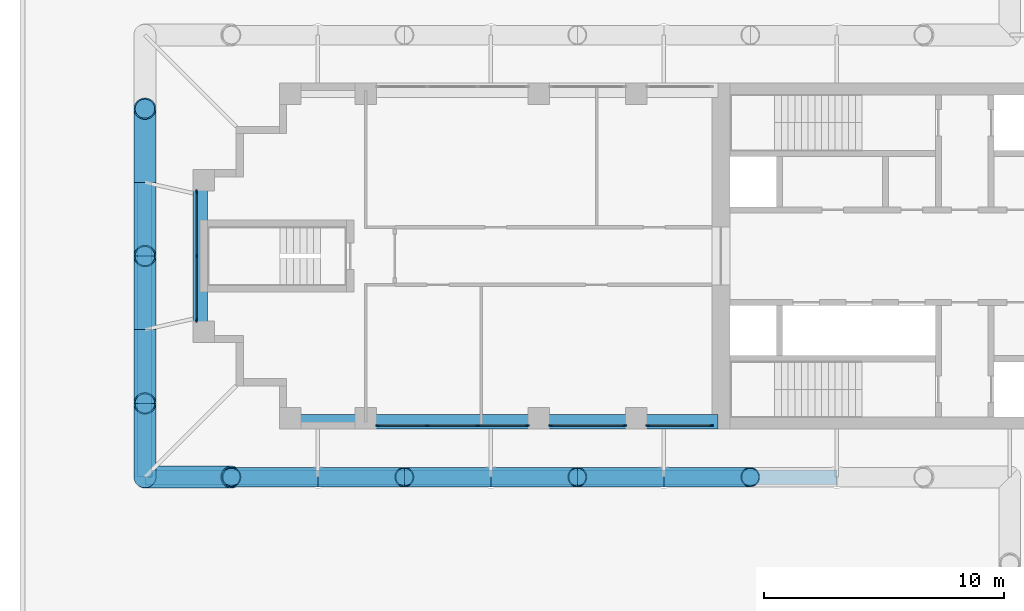
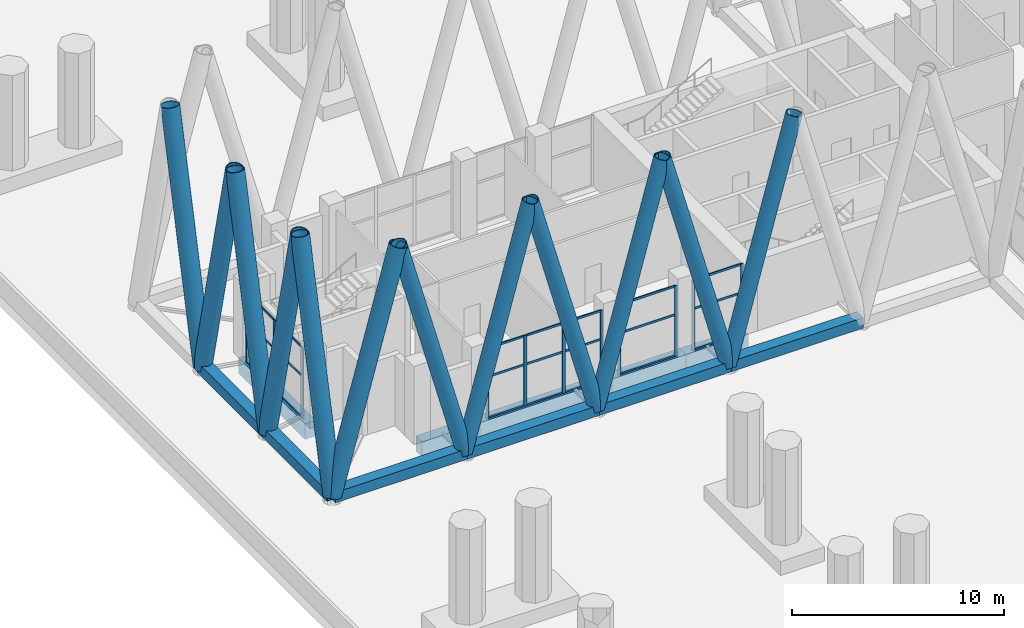
# One storey, part 4 of 31: 50 members, 5 beams, 4 elements without a shape of their own.
"""IFC4 building model written with IfcOpenShell, lengths in metres."""

import ifcopenshell
import ifcopenshell.guid

model = None  # the IFC model being written
_history = None  # IfcOwnerHistory: only IFC2X3 demands one
_inside = {}  # id of a spatial element -> (the spatial element, [elements in it])
_under = {}  # id of a project, library or spatial element -> (it, [spatial elements below it])
_declared = {}  # id of a project -> (the project, [libraries it declares])
_typed = {}  # id of a type object -> (the type object, [elements of that type])
_made_of = {}  # id of a material, layer set ... -> (it, [elements and type objects made of it])


def new_model(schema):
    """Start an empty IFC model of exactly this schema.

    Asked for "IFC4X3", IfcOpenShell would pick the latest addendum, in which some entities
    have other attributes; the version numbers below select the first issue.
    IFC2X3 requires an IfcOwnerHistory on every rooted entity: one is made here for all.
    """
    global model, _history
    if schema == "IFC4X3":
        model = ifcopenshell.file(schema_version=(4, 3, 0, 0))
    else:
        model = ifcopenshell.file(schema=schema)
    _inside.clear()
    _under.clear()
    _declared.clear()
    _typed.clear()
    _made_of.clear()
    _history = None
    if model.schema == "IFC2X3":
        org = make("IfcOrganization", Name="unknown")
        user = make(
            "IfcPersonAndOrganization",
            ThePerson=make("IfcPerson", FamilyName="unknown"),
            TheOrganization=org,
        )
        app = make(
            "IfcApplication",
            ApplicationDeveloper=org,
            Version="unknown",
            ApplicationFullName="unknown",
            ApplicationIdentifier="unknown",
        )
        _history = make(
            "IfcOwnerHistory",
            OwningUser=user,
            OwningApplication=app,
            ChangeAction="ADDED",
            CreationDate=0,
        )
    return model


def make(cls, **values):
    """One entity of the class cls with the attributes given. An attribute that is None is left unset."""
    return model.create_entity(
        cls, **{name: value for name, value in values.items() if value is not None}
    )


def rooted(cls, **values):
    """An entity with a GlobalId (a new one), such as an element, a storey or a relation."""
    return make(cls, GlobalId=ifcopenshell.guid.new(), OwnerHistory=_history, **values)


def si_unit(unit_type, name, prefix=None):
    """IfcSIUnit, for example si_unit("LENGTHUNIT", "METRE", prefix="MILLI")."""
    return make("IfcSIUnit", UnitType=unit_type, Prefix=prefix, Name=name)


def assignment(units):
    """IfcUnitAssignment: the units of a project."""
    return None if units is None else make("IfcUnitAssignment", Units=units)


def point(xyz):
    """IfcCartesianPoint."""
    return None if xyz is None else make("IfcCartesianPoint", Coordinates=xyz)


def direction(xyz):
    """IfcDirection."""
    return None if xyz is None else make("IfcDirection", DirectionRatios=xyz)


def frame(location, z_axis=None, x_axis=None):
    """IfcAxis2Placement3D, a coordinate frame: its origin and axes. An axis left out is left unset."""
    return make(
        "IfcAxis2Placement3D",
        Location=point(location),
        Axis=direction(z_axis),
        RefDirection=direction(x_axis),
    )


def frame_2d(location, x_axis=None):
    """IfcAxis2Placement2D, a coordinate frame in the plane: its origin and x axis."""
    return make(
        "IfcAxis2Placement2D", Location=point(location), RefDirection=direction(x_axis)
    )


def origin():
    """The frame at (0, 0, 0) with its axes left unset."""
    return frame((0.0, 0.0, 0.0))


def origin_2d():
    """The frame at (0, 0) in the plane with its x axis left unset."""
    return frame_2d((0.0, 0.0))


def place(relative_to, where):
    """IfcLocalPlacement: puts the frame where relative to a parent placement (None: the world)."""
    return make(
        "IfcLocalPlacement", PlacementRelTo=relative_to, RelativePlacement=where
    )


def context(
    kind, dimensions, precision=None, world=None, true_north=None, identifier=None
):
    """IfcGeometricRepresentationContext, for example the 3D "Model" context."""
    return make(
        "IfcGeometricRepresentationContext",
        ContextIdentifier=identifier,
        ContextType=kind,
        CoordinateSpaceDimension=dimensions,
        Precision=precision,
        WorldCoordinateSystem=world,
        TrueNorth=true_north,
    )


def subcontext(parent, identifier, kind, view, scale=None):
    """IfcGeometricRepresentationSubContext, for example "Body" below "Model"."""
    return make(
        "IfcGeometricRepresentationSubContext",
        ContextIdentifier=identifier,
        ContextType=kind,
        ParentContext=parent,
        TargetScale=scale,
        TargetView=view,
    )


def project(units=None, contexts=None):
    """IfcProject with its units and contexts."""
    return rooted(
        "IfcProject",
        Name="project",
        RepresentationContexts=contexts,
        UnitsInContext=assignment(units),
    )


def spatial(cls, under=None, at=None, **own):
    """A site, building, storey or space (cls), placed at a placement, below another one or the project."""
    s = rooted(cls, ObjectPlacement=at, **own)
    if under is not None:
        _under.setdefault(under.id(), (under, []))[1].append(s)
    return s


def profile(cls, at=None, kind="AREA", **sizes):
    """A parametric profile (cls). Its sizes go by their IFC names, for example OverallWidth=200.0."""
    return make(cls, ProfileType=kind, Position=at, **sizes)


def rectangle(**sizes):
    """IfcRectangleProfileDef."""
    return profile("IfcRectangleProfileDef", **sizes)


def hollow_rectangle(**sizes):
    """IfcRectangleHollowProfileDef."""
    return profile("IfcRectangleHollowProfileDef", **sizes)


def hollow_circle(**sizes):
    """IfcCircleHollowProfileDef."""
    return profile("IfcCircleHollowProfileDef", **sizes)


def extrude(swept, where, along, depth):
    """IfcExtrudedAreaSolid: the profile swept, set in the frame where, extruded along a direction by depth."""
    return make(
        "IfcExtrudedAreaSolid",
        SweptArea=swept,
        Position=where,
        ExtrudedDirection=direction(along),
        Depth=depth,
    )


def shape(context_of_items, identifier, shape_type, items):
    """IfcShapeRepresentation: the items that make up one representation, for example the "Body"."""
    return make(
        "IfcShapeRepresentation",
        ContextOfItems=context_of_items,
        RepresentationIdentifier=identifier,
        RepresentationType=shape_type,
        Items=items,
    )


def material(Name=None, Category=None):
    """IfcMaterial."""
    return make("IfcMaterial", Name=Name, Category=Category)


def material_profile(
    of_material, cross_section, Name=None, Category=None, Priority=None
):
    """IfcMaterialProfile: a cross section and its material."""
    return make(
        "IfcMaterialProfile",
        Name=Name,
        Material=of_material,
        Profile=cross_section,
        Priority=Priority,
        Category=Category,
    )


def profile_set(profiles, Name=None, composite=None):
    """IfcMaterialProfileSet."""
    return make(
        "IfcMaterialProfileSet",
        Name=Name,
        MaterialProfiles=profiles,
        CompositeProfile=composite,
    )


def made_of(thing, what):
    """Note that an element or type object is made of a material, layer set ...; save() writes the relation."""
    if what is not None:
        _made_of.setdefault(what.id(), (what, []))[1].append(thing)
    return thing


def type_object(cls, material=None, **own):
    """A type object (cls), such as IfcWallType, which elements share."""
    return made_of(rooted(cls, **own), material)


def element(
    cls,
    number,
    at=None,
    inside=None,
    cuts=None,
    type_object=None,
    material=None,
    context=None,
    identifier="Body",
    shape_type=None,
    held_by="IfcProductDefinitionShape",
    body=None,
    shapes=None,
    **own,
):
    """One element of the class cls, such as IfcWall. Its Tag is "e" and its number.

    at: its placement. inside: the storey or other place that contains it. cuts: it is an
    opening in that element (IfcRelVoidsElement). A single representation is given by context,
    identifier, shape_type and body (its items); several are given by shapes. held_by: the class
    of the entity that holds the representations. save() writes the other relations.
    """
    e = rooted(cls, Tag="e%d" % number, ObjectPlacement=at, **own)
    if body is not None:
        shapes = [shape(context, identifier, shape_type, body)]
    if shapes is not None:
        e.Representation = make(held_by, Representations=shapes)
    if inside is not None:
        _inside.setdefault(inside.id(), (inside, []))[1].append(e)
    if cuts is not None:
        rooted(
            "IfcRelVoidsElement", RelatingBuildingElement=cuts, RelatedOpeningElement=e
        )
    if type_object is not None:
        _typed.setdefault(type_object.id(), (type_object, []))[1].append(e)
    return made_of(e, material)


def aggregate(whole, parts):
    """IfcRelAggregates: a whole, such as a stair, and the parts it consists of."""
    return rooted("IfcRelAggregates", RelatingObject=whole, RelatedObjects=parts)


def save(model, path):
    """Write the relations noted so far, then the file.

    IfcRelAggregates (storeys below a building ...), IfcRelContainedInSpatialStructure (elements
    in a storey), IfcRelDefinesByType, IfcRelAssociatesMaterial and IfcRelDeclares: one each for
    every whole, place, type object, material and project.
    """
    for whole, parts in _under.values():
        aggregate(whole, parts)
    for where, things in _inside.values():
        rooted(
            "IfcRelContainedInSpatialStructure",
            RelatedElements=things,
            RelatingStructure=where,
        )
    for kind, things in _typed.values():
        rooted("IfcRelDefinesByType", RelatedObjects=things, RelatingType=kind)
    for what, things in _made_of.values():
        rooted("IfcRelAssociatesMaterial", RelatedObjects=things, RelatingMaterial=what)
    for by, libraries in _declared.values():
        rooted("IfcRelDeclares", RelatingContext=by, RelatedDefinitions=libraries)
    model.write(path)


model = new_model("IFC4")

# Units and contexts
model_context = context("Model", 3, precision=1e-05, world=origin(), true_north=direction((0.0, 1.0)))
body_context = subcontext(model_context, "Body", "Model", "MODEL_VIEW")
ifc_project = project(units=[si_unit("LENGTHUNIT", "METRE"), si_unit("AREAUNIT", "SQUARE_METRE"), si_unit("VOLUMEUNIT", "CUBIC_METRE"), si_unit("PLANEANGLEUNIT", "RADIAN"), si_unit("MASSUNIT", "GRAM", prefix="KILO")], contexts=[model_context])

# Site, building, storey
site_placement = place(None, origin())
site = spatial("IfcSite", under=ifc_project, at=site_placement, CompositionType="ELEMENT")
building_placement = place(site_placement, origin())
building = spatial("IfcBuilding", under=site, at=building_placement, Name="Fustian Cross Tower", CompositionType="ELEMENT")
storey_placement = place(building_placement, frame((0.0, 0.0, 7.199951171875)))
storey = spatial("IfcBuildingStorey", under=building, at=storey_placement, Name="L01", CompositionType="ELEMENT", Elevation=7.199951171875)

# Curtain wall, members
ifc_material_1 = material(Name="Glass", Category="glass")
curtain_wall_type = type_object("IfcCurtainWallType", Name="CW4 CURTAIN WALL", PredefinedType="NOTDEFINED", material=ifc_material_1)
curtain_wall_1_placement = place(storey_placement, origin())
curtain_wall_1 = element("IfcCurtainWall", 1, at=curtain_wall_1_placement, inside=storey, type_object=curtain_wall_type, Name="Curtain wall CW4", PredefinedType="NOTDEFINED")
ifc_material_2 = material(Name="Aluminium alloy 6063", Category="aluminium")
ifc_material_profile_1 = material_profile(ifc_material_2, rectangle(XDim=0.06005859375, YDim=0.159912109375, at=origin_2d()), Name="CW4 MULLION 60x160")
ifc_profile_set_1 = profile_set([ifc_material_profile_1], Name="Aluminium alloy 6063")
member_type_1 = type_object("IfcMemberType", Name="CW4 MULLION 60x160", PredefinedType="MULLION", material=ifc_profile_set_1)
member_1_placement = place(storey_placement, frame((-43.050048828125, 2.669921875, 0.0), z_axis=(0.0, 0.0, 1.0), x_axis=(1.0, 0.0, 0.0)))
member_1 = element("IfcMember", 2, at=member_1_placement, type_object=member_type_1, Name="CW4 mullion 1", PredefinedType="MULLION", context=body_context, shape_type="SweptSolid", body=[
    extrude(rectangle(XDim=0.06005859375, YDim=0.159912109375, at=origin_2d()), origin(), (0.0, 0.0, 1.0), 4.074951171875),
])
member_2_placement = place(storey_placement, frame((-43.050048828125, 0.0, 0.0), z_axis=(0.0, 0.0, 1.0), x_axis=(1.0, 0.0, 0.0)))
member_2 = element("IfcMember", 3, at=member_2_placement, type_object=member_type_1, Name="CW4 mullion 2", PredefinedType="MULLION", context=body_context, shape_type="SweptSolid", body=[
    extrude(rectangle(XDim=0.06005859375, YDim=0.159912109375, at=origin_2d()), origin(), (0.0, 0.0, 1.0), 4.074951171875),
])
member_3_placement = place(storey_placement, frame((-43.050048828125, -2.669921875, 0.0), z_axis=(0.0, 0.0, 1.0), x_axis=(1.0, 0.0, 0.0)))
member_3 = element("IfcMember", 4, at=member_3_placement, type_object=member_type_1, Name="CW4 mullion 3", PredefinedType="MULLION", context=body_context, shape_type="SweptSolid", body=[
    extrude(rectangle(XDim=0.06005859375, YDim=0.159912109375, at=origin_2d()), origin(), (0.0, 0.0, 1.0), 4.074951171875),
])

curtain_wall_2_placement = place(storey_placement, origin())
curtain_wall_2 = element("IfcCurtainWall", 5, at=curtain_wall_2_placement, inside=storey, type_object=curtain_wall_type, Name="Curtain wall CW4", PredefinedType="NOTDEFINED")
member_4_placement = place(storey_placement, frame((-35.52001953125, -7.050048828125, 0.0), z_axis=(0.0, 0.0, 1.0), x_axis=(0.0, 1.0, 0.0)))
member_4 = element("IfcMember", 6, at=member_4_placement, type_object=member_type_1, Name="CW4 mullion 1", PredefinedType="MULLION", context=body_context, shape_type="SweptSolid", body=[
    extrude(rectangle(XDim=0.06005859375, YDim=0.159912109375, at=origin_2d()), origin(), (0.0, 0.0, 1.0), 4.074951171875),
])
member_5_placement = place(storey_placement, frame((-33.449951171875, -7.050048828125, 0.0), z_axis=(0.0, 0.0, 1.0), x_axis=(0.0, 1.0, 0.0)))
member_5 = element("IfcMember", 7, at=member_5_placement, type_object=member_type_1, Name="CW4 mullion 2", PredefinedType="MULLION", context=body_context, shape_type="SweptSolid", body=[
    extrude(rectangle(XDim=0.06005859375, YDim=0.159912109375, at=origin_2d()), origin(), (0.0, 0.0, 1.0), 4.074951171875),
])
member_6_placement = place(storey_placement, frame((-31.35009765625, -7.050048828125, 0.0), z_axis=(0.0, 0.0, 1.0), x_axis=(0.0, 1.0, 0.0)))
member_6 = element("IfcMember", 8, at=member_6_placement, type_object=member_type_1, Name="CW4 mullion 3", PredefinedType="MULLION", context=body_context, shape_type="SweptSolid", body=[
    extrude(rectangle(XDim=0.06005859375, YDim=0.159912109375, at=origin_2d()), origin(), (0.0, 0.0, 1.0), 4.074951171875),
])
member_7_placement = place(storey_placement, frame((-29.280029296875, -7.050048828125, 0.0), z_axis=(0.0, 0.0, 1.0), x_axis=(0.0, 1.0, 0.0)))
member_7 = element("IfcMember", 9, at=member_7_placement, type_object=member_type_1, Name="CW4 mullion 4", PredefinedType="MULLION", context=body_context, shape_type="SweptSolid", body=[
    extrude(rectangle(XDim=0.06005859375, YDim=0.159912109375, at=origin_2d()), origin(), (0.0, 0.0, 1.0), 4.074951171875),
])

curtain_wall_3_placement = place(storey_placement, origin())
curtain_wall_3 = element("IfcCurtainWall", 10, at=curtain_wall_3_placement, inside=storey, type_object=curtain_wall_type, Name="Curtain wall CW4", PredefinedType="NOTDEFINED")
member_8_placement = place(storey_placement, frame((-28.320068359375, -7.050048828125, 0.0), z_axis=(0.0, 0.0, 1.0), x_axis=(0.0, 1.0, 0.0)))
member_8 = element("IfcMember", 11, at=member_8_placement, type_object=member_type_1, Name="CW4 mullion 1", PredefinedType="MULLION", context=body_context, shape_type="SweptSolid", body=[
    extrude(rectangle(XDim=0.06005859375, YDim=0.159912109375, at=origin_2d()), origin(), (0.0, 0.0, 1.0), 4.074951171875),
])
member_9_placement = place(storey_placement, frame((-25.22998046875, -7.050048828125, 0.0), z_axis=(0.0, 0.0, 1.0), x_axis=(0.0, 1.0, 0.0)))
member_9 = element("IfcMember", 12, at=member_9_placement, type_object=member_type_1, Name="CW4 mullion 2", PredefinedType="MULLION", context=body_context, shape_type="SweptSolid", body=[
    extrude(rectangle(XDim=0.06005859375, YDim=0.159912109375, at=origin_2d()), origin(), (0.0, 0.0, 1.0), 4.074951171875),
])

curtain_wall_4_placement = place(storey_placement, origin())
curtain_wall_4 = element("IfcCurtainWall", 13, at=curtain_wall_4_placement, inside=storey, type_object=curtain_wall_type, Name="Curtain wall CW4", PredefinedType="NOTDEFINED")
member_10_placement = place(storey_placement, frame((-24.27001953125, -7.050048828125, 0.0), z_axis=(0.0, 0.0, 1.0), x_axis=(0.0, 1.0, 0.0)))
member_10 = element("IfcMember", 14, at=member_10_placement, type_object=member_type_1, Name="CW4 mullion 1", PredefinedType="MULLION", context=body_context, shape_type="SweptSolid", body=[
    extrude(rectangle(XDim=0.06005859375, YDim=0.159912109375, at=origin_2d()), origin(), (0.0, 0.0, 1.0), 4.074951171875),
])
member_11_placement = place(storey_placement, frame((-21.6298828125, -7.050048828125, 0.0), z_axis=(0.0, 0.0, 1.0), x_axis=(0.0, 1.0, 0.0)))
member_11 = element("IfcMember", 15, at=member_11_placement, type_object=member_type_1, Name="CW4 mullion 2", PredefinedType="MULLION", context=body_context, shape_type="SweptSolid", body=[
    extrude(rectangle(XDim=0.06005859375, YDim=0.159912109375, at=origin_2d()), origin(), (0.0, 0.0, 1.0), 4.074951171875),
])

# Member
ifc_material_3 = material(Name="Aluminium alloy 6063", Category="aluminium")
ifc_material_profile_2 = material_profile(ifc_material_3, rectangle(XDim=0.06005859375, YDim=0.1201171875, at=origin_2d()), Name="CW4 TRANSOM 60x120")
ifc_profile_set_2 = profile_set([ifc_material_profile_2], Name="Aluminium alloy 6063")
member_type_2 = type_object("IfcMemberType", Name="CW4 TRANSOM 60x120", PredefinedType="USERDEFINED", material=ifc_profile_set_2)
member_12_placement = place(storey_placement, frame((-43.050048828125, 2.639892578125, 0.030029296875), z_axis=(0.0, -1.0, 0.0), x_axis=(1.0, 0.0, 0.0)))
member_12 = element("IfcMember", 16, at=member_12_placement, type_object=member_type_2, Name="CW4 transom 1.1", ObjectType="TRANSOM", PredefinedType="USERDEFINED", context=body_context, shape_type="SweptSolid", body=[
    extrude(rectangle(XDim=0.06005859375, YDim=0.1201171875, at=origin_2d()), origin(), (0.0, 0.0, 1.0), 2.60986328125),
])

member_13_placement = place(storey_placement, frame((-43.050048828125, 2.639892578125, 2.400146484375), z_axis=(0.0, -1.0, 0.0), x_axis=(1.0, 0.0, 0.0)))
member_13 = element("IfcMember", 17, at=member_13_placement, type_object=member_type_2, Name="CW4 transom 1.2", ObjectType="TRANSOM", PredefinedType="USERDEFINED", context=body_context, shape_type="SweptSolid", body=[
    extrude(rectangle(XDim=0.06005859375, YDim=0.1201171875, at=origin_2d()), origin(), (0.0, 0.0, 1.0), 2.60986328125),
])

member_14_placement = place(storey_placement, frame((-43.050048828125, 2.639892578125, 4.045166015625), z_axis=(0.0, -1.0, 0.0), x_axis=(1.0, 0.0, 0.0)))
member_14 = element("IfcMember", 18, at=member_14_placement, type_object=member_type_2, Name="CW4 transom 1.3", ObjectType="TRANSOM", PredefinedType="USERDEFINED", context=body_context, shape_type="SweptSolid", body=[
    extrude(rectangle(XDim=0.06005859375, YDim=0.1201171875, at=origin_2d()), origin(), (0.0, 0.0, 1.0), 2.60986328125),
])

member_15_placement = place(storey_placement, frame((-43.050048828125, -0.030029296875, 0.030029296875), z_axis=(0.0, -1.0, 0.0), x_axis=(1.0, 0.0, 0.0)))
member_15 = element("IfcMember", 19, at=member_15_placement, type_object=member_type_2, Name="CW4 transom 2.1", ObjectType="TRANSOM", PredefinedType="USERDEFINED", context=body_context, shape_type="SweptSolid", body=[
    extrude(rectangle(XDim=0.06005859375, YDim=0.1201171875, at=origin_2d()), origin(), (0.0, 0.0, 1.0), 2.60986328125),
])

member_16_placement = place(storey_placement, frame((-43.050048828125, -0.030029296875, 2.400146484375), z_axis=(0.0, -1.0, 0.0), x_axis=(1.0, 0.0, 0.0)))
member_16 = element("IfcMember", 20, at=member_16_placement, type_object=member_type_2, Name="CW4 transom 2.2", ObjectType="TRANSOM", PredefinedType="USERDEFINED", context=body_context, shape_type="SweptSolid", body=[
    extrude(rectangle(XDim=0.06005859375, YDim=0.1201171875, at=origin_2d()), origin(), (0.0, 0.0, 1.0), 2.60986328125),
])

member_17_placement = place(storey_placement, frame((-43.050048828125, -0.030029296875, 4.045166015625), z_axis=(0.0, -1.0, 0.0), x_axis=(1.0, 0.0, 0.0)))
member_17 = element("IfcMember", 21, at=member_17_placement, type_object=member_type_2, Name="CW4 transom 2.3", ObjectType="TRANSOM", PredefinedType="USERDEFINED", context=body_context, shape_type="SweptSolid", body=[
    extrude(rectangle(XDim=0.06005859375, YDim=0.1201171875, at=origin_2d()), origin(), (0.0, 0.0, 1.0), 2.60986328125),
])

aggregate(curtain_wall_1, [member_1, member_2, member_3, member_12, member_13, member_14, member_15, member_16, member_17])

member_18_placement = place(storey_placement, frame((-35.489990234375, -7.050048828125, 0.030029296875), z_axis=(1.0, 0.0, 0.0), x_axis=(0.0, 1.0, 0.0)))
member_18 = element("IfcMember", 22, at=member_18_placement, type_object=member_type_2, Name="CW4 transom 1.1", ObjectType="TRANSOM", PredefinedType="USERDEFINED", context=body_context, shape_type="SweptSolid", body=[
    extrude(rectangle(XDim=0.06005859375, YDim=0.1201171875, at=origin_2d()), origin(), (0.0, 0.0, 1.0), 2.010009765625),
])

member_19_placement = place(storey_placement, frame((-35.489990234375, -7.050048828125, 2.400146484375), z_axis=(1.0, 0.0, 0.0), x_axis=(0.0, 1.0, 0.0)))
member_19 = element("IfcMember", 23, at=member_19_placement, type_object=member_type_2, Name="CW4 transom 1.2", ObjectType="TRANSOM", PredefinedType="USERDEFINED", context=body_context, shape_type="SweptSolid", body=[
    extrude(rectangle(XDim=0.06005859375, YDim=0.1201171875, at=origin_2d()), origin(), (0.0, 0.0, 1.0), 2.010009765625),
])

member_20_placement = place(storey_placement, frame((-35.489990234375, -7.050048828125, 4.045166015625), z_axis=(1.0, 0.0, 0.0), x_axis=(0.0, 1.0, 0.0)))
member_20 = element("IfcMember", 24, at=member_20_placement, type_object=member_type_2, Name="CW4 transom 1.3", ObjectType="TRANSOM", PredefinedType="USERDEFINED", context=body_context, shape_type="SweptSolid", body=[
    extrude(rectangle(XDim=0.06005859375, YDim=0.1201171875, at=origin_2d()), origin(), (0.0, 0.0, 1.0), 2.010009765625),
])

member_21_placement = place(storey_placement, frame((-33.419921875, -7.050048828125, 0.030029296875), z_axis=(1.0, 0.0, 0.0), x_axis=(0.0, 1.0, 0.0)))
member_21 = element("IfcMember", 25, at=member_21_placement, type_object=member_type_2, Name="CW4 transom 2.1", ObjectType="TRANSOM", PredefinedType="USERDEFINED", context=body_context, shape_type="SweptSolid", body=[
    extrude(rectangle(XDim=0.06005859375, YDim=0.1201171875, at=origin_2d()), origin(), (0.0, 0.0, 1.0), 2.0400390625),
])

member_22_placement = place(storey_placement, frame((-33.419921875, -7.050048828125, 2.400146484375), z_axis=(1.0, 0.0, 0.0), x_axis=(0.0, 1.0, 0.0)))
member_22 = element("IfcMember", 26, at=member_22_placement, type_object=member_type_2, Name="CW4 transom 2.2", ObjectType="TRANSOM", PredefinedType="USERDEFINED", context=body_context, shape_type="SweptSolid", body=[
    extrude(rectangle(XDim=0.06005859375, YDim=0.1201171875, at=origin_2d()), origin(), (0.0, 0.0, 1.0), 2.0400390625),
])

member_23_placement = place(storey_placement, frame((-33.419921875, -7.050048828125, 4.045166015625), z_axis=(1.0, 0.0, 0.0), x_axis=(0.0, 1.0, 0.0)))
member_23 = element("IfcMember", 27, at=member_23_placement, type_object=member_type_2, Name="CW4 transom 2.3", ObjectType="TRANSOM", PredefinedType="USERDEFINED", context=body_context, shape_type="SweptSolid", body=[
    extrude(rectangle(XDim=0.06005859375, YDim=0.1201171875, at=origin_2d()), origin(), (0.0, 0.0, 1.0), 2.0400390625),
])

member_24_placement = place(storey_placement, frame((-31.320068359375, -7.050048828125, 0.030029296875), z_axis=(1.0, 0.0, 0.0), x_axis=(0.0, 1.0, 0.0)))
member_24 = element("IfcMember", 28, at=member_24_placement, type_object=member_type_2, Name="CW4 transom 3.1", ObjectType="TRANSOM", PredefinedType="USERDEFINED", context=body_context, shape_type="SweptSolid", body=[
    extrude(rectangle(XDim=0.06005859375, YDim=0.1201171875, at=origin_2d()), origin(), (0.0, 0.0, 1.0), 2.010009765625),
])

member_25_placement = place(storey_placement, frame((-31.320068359375, -7.050048828125, 2.400146484375), z_axis=(1.0, 0.0, 0.0), x_axis=(0.0, 1.0, 0.0)))
member_25 = element("IfcMember", 29, at=member_25_placement, type_object=member_type_2, Name="CW4 transom 3.2", ObjectType="TRANSOM", PredefinedType="USERDEFINED", context=body_context, shape_type="SweptSolid", body=[
    extrude(rectangle(XDim=0.06005859375, YDim=0.1201171875, at=origin_2d()), origin(), (0.0, 0.0, 1.0), 2.010009765625),
])

member_26_placement = place(storey_placement, frame((-31.320068359375, -7.050048828125, 4.045166015625), z_axis=(1.0, 0.0, 0.0), x_axis=(0.0, 1.0, 0.0)))
member_26 = element("IfcMember", 30, at=member_26_placement, type_object=member_type_2, Name="CW4 transom 3.3", ObjectType="TRANSOM", PredefinedType="USERDEFINED", context=body_context, shape_type="SweptSolid", body=[
    extrude(rectangle(XDim=0.06005859375, YDim=0.1201171875, at=origin_2d()), origin(), (0.0, 0.0, 1.0), 2.010009765625),
])

aggregate(curtain_wall_2, [member_4, member_5, member_6, member_7, member_18, member_19, member_20, member_21, member_22, member_23, member_24, member_25, member_26])

member_27_placement = place(storey_placement, frame((-28.2900390625, -7.050048828125, 0.030029296875), z_axis=(1.0, 0.0, 0.0), x_axis=(0.0, 1.0, 0.0)))
member_27 = element("IfcMember", 31, at=member_27_placement, type_object=member_type_2, Name="CW4 transom 1.1", ObjectType="TRANSOM", PredefinedType="USERDEFINED", context=body_context, shape_type="SweptSolid", body=[
    extrude(rectangle(XDim=0.06005859375, YDim=0.1201171875, at=origin_2d()), origin(), (0.0, 0.0, 1.0), 3.030029296875),
])

member_28_placement = place(storey_placement, frame((-28.2900390625, -7.050048828125, 2.400146484375), z_axis=(1.0, 0.0, 0.0), x_axis=(0.0, 1.0, 0.0)))
member_28 = element("IfcMember", 32, at=member_28_placement, type_object=member_type_2, Name="CW4 transom 1.2", ObjectType="TRANSOM", PredefinedType="USERDEFINED", context=body_context, shape_type="SweptSolid", body=[
    extrude(rectangle(XDim=0.06005859375, YDim=0.1201171875, at=origin_2d()), origin(), (0.0, 0.0, 1.0), 3.030029296875),
])

member_29_placement = place(storey_placement, frame((-28.2900390625, -7.050048828125, 4.045166015625), z_axis=(1.0, 0.0, 0.0), x_axis=(0.0, 1.0, 0.0)))
member_29 = element("IfcMember", 33, at=member_29_placement, type_object=member_type_2, Name="CW4 transom 1.3", ObjectType="TRANSOM", PredefinedType="USERDEFINED", context=body_context, shape_type="SweptSolid", body=[
    extrude(rectangle(XDim=0.06005859375, YDim=0.1201171875, at=origin_2d()), origin(), (0.0, 0.0, 1.0), 3.030029296875),
])

aggregate(curtain_wall_3, [member_8, member_9, member_27, member_28, member_29])

member_30_placement = place(storey_placement, frame((-24.239990234375, -7.050048828125, 0.030029296875), z_axis=(1.0, 0.0, 0.0), x_axis=(0.0, 1.0, 0.0)))
member_30 = element("IfcMember", 34, at=member_30_placement, type_object=member_type_2, Name="CW4 transom 1.1", ObjectType="TRANSOM", PredefinedType="USERDEFINED", context=body_context, shape_type="SweptSolid", body=[
    extrude(rectangle(XDim=0.06005859375, YDim=0.1201171875, at=origin_2d()), origin(), (0.0, 0.0, 1.0), 2.580078125),
])

member_31_placement = place(storey_placement, frame((-24.239990234375, -7.050048828125, 2.400146484375), z_axis=(1.0, 0.0, 0.0), x_axis=(0.0, 1.0, 0.0)))
member_31 = element("IfcMember", 35, at=member_31_placement, type_object=member_type_2, Name="CW4 transom 1.2", ObjectType="TRANSOM", PredefinedType="USERDEFINED", context=body_context, shape_type="SweptSolid", body=[
    extrude(rectangle(XDim=0.06005859375, YDim=0.1201171875, at=origin_2d()), origin(), (0.0, 0.0, 1.0), 2.580078125),
])

member_32_placement = place(storey_placement, frame((-24.239990234375, -7.050048828125, 4.045166015625), z_axis=(1.0, 0.0, 0.0), x_axis=(0.0, 1.0, 0.0)))
member_32 = element("IfcMember", 36, at=member_32_placement, type_object=member_type_2, Name="CW4 transom 1.3", ObjectType="TRANSOM", PredefinedType="USERDEFINED", context=body_context, shape_type="SweptSolid", body=[
    extrude(rectangle(XDim=0.06005859375, YDim=0.1201171875, at=origin_2d()), origin(), (0.0, 0.0, 1.0), 2.580078125),
])

aggregate(curtain_wall_4, [member_10, member_11, member_30, member_31, member_32])

# Members
ifc_material_4 = material(Name="Steel S355", Category="steel")
ifc_material_profile_3 = material_profile(ifc_material_4, hollow_circle(Radius=0.406494140625, WallThickness=0.0400390625, at=origin_2d()), Name="CHS 813x40")
ifc_profile_set_3 = profile_set([ifc_material_profile_3], Name="Steel S355")
member_type_3 = type_object("IfcMemberType", Name="DIAGRID DIAGONAL CHS 813x40", PredefinedType="BRACE", material=ifc_profile_set_3)
for number, where, z_axis, x_axis, name in (
    (37, (-38.0, -9.199951171875, 0.300048828125), (-0.263124955092, 0.0, 0.964761762306), (0.0, -1.0, 0.0), "Diagrid diagonal W-S 02"),
    (38, (-38.0, -9.199951171875, 0.300048828125), (0.263124955092, 0.0, 0.964761762306), (0.0, 1.0, 0.0), "Diagrid diagonal W-S 03"),
    (39, (-30.800048828125, -9.199951171875, 0.300048828125), (-0.263108346568, 0.0, 0.964766291889), (0.0, -1.0, 0.0), "Diagrid diagonal W-S 04"),
    (40, (-30.800048828125, -9.199951171875, 0.300048828125), (0.263124955092, 0.0, 0.964761762306), (0.0, 1.0, 0.0), "Diagrid diagonal W-S 05"),
    (41, (-23.60009765625, -9.199951171875, 0.300048828125), (-0.263108346568, 0.0, 0.964766291889), (0.0, -1.0, 0.0), "Diagrid diagonal W-S 06"),
    (42, (-23.60009765625, -9.199951171875, 0.300048828125), (0.263124955092, 0.0, 0.964761762306), (0.0, 1.0, 0.0), "Diagrid diagonal W-S 07"),
):
    element("IfcMember", number, at=place(storey_placement, frame(where, z_axis=z_axis, x_axis=x_axis)), inside=storey, type_object=member_type_3, Name=name, PredefinedType="BRACE", context=body_context, shape_type="SweptSolid", body=[
        extrude(hollow_circle(Radius=0.406494140625, WallThickness=0.0400390625, at=origin_2d()), origin(), (0.0, 0.0, 1.0), 13.68212890625),
    ])
ifc_material_5 = material(Name="Steel S355", Category="steel")
ifc_material_profile_4 = material_profile(ifc_material_5, hollow_circle(Radius=0.457275390625, WallThickness=0.050048828125, at=origin_2d()), Name="CHS 914x50")
ifc_profile_set_4 = profile_set([ifc_material_profile_4], Name="Steel S355")
member_type_4 = type_object("IfcMemberType", Name="DIAGRID DIAGONAL CHS 914x50", PredefinedType="BRACE", material=ifc_profile_set_4)
for number, where, z_axis, x_axis, name in (
    (43, (-45.199951171875, 3.066650390625, 0.300048828125), (0.0, 0.226296070395, 0.974058565243), (-1.0, 0.0, 0.0), "Diagrid diagonal W-end 02"),
    (44, (-45.199951171875, 3.066650390625, 0.300048828125), (0.0, -0.226296070395, 0.974058565243), (1.0, 0.0, 0.0), "Diagrid diagonal W-end 03"),
    (45, (-45.199951171875, -3.066650390625, 0.300048828125), (0.0, 0.226296070395, 0.974058565243), (-1.0, 0.0, 0.0), "Diagrid diagonal W-end 04"),
    (46, (-45.199951171875, -3.066650390625, 0.300048828125), (0.0, -0.226296070395, 0.974058565243), (1.0, 0.0, 0.0), "Diagrid diagonal W-end 05"),
    (47, (-45.199951171875, -9.199951171875, 0.300048828125), (0.0, 0.226296070395, 0.974058565243), (-1.0, 0.0, 0.0), "Diagrid diagonal W-end 06"),
):
    element("IfcMember", number, at=place(storey_placement, frame(where, z_axis=z_axis, x_axis=x_axis)), inside=storey, type_object=member_type_4, Name=name, PredefinedType="BRACE", context=body_context, shape_type="SweptSolid", body=[
        extrude(hollow_circle(Radius=0.457275390625, WallThickness=0.050048828125, at=origin_2d()), origin(), (0.0, 0.0, 1.0), 13.551513671875),
    ])
member_33_placement = place(storey_placement, frame((-45.199951171875, -9.199951171875, 0.300048828125), z_axis=(0.263108346568, 0.0, 0.964766291889), x_axis=(0.0, 1.0, 0.0)))
element("IfcMember", 48, at=member_33_placement, inside=storey, type_object=member_type_4, Name="Diagrid diagonal W-S 01", PredefinedType="BRACE", context=body_context, shape_type="SweptSolid", body=[
    extrude(hollow_circle(Radius=0.457275390625, WallThickness=0.050048828125, at=origin_2d()), origin(), (0.0, 0.0, 1.0), 13.68212890625),
])
ifc_material_6 = material(Name="Steel S355", Category="steel")
ifc_material_profile_5 = material_profile(ifc_material_6, hollow_rectangle(XDim=0.60009765625, YDim=0.60009765625, WallThickness=0.030029296875, at=origin_2d()), Name="RHS 600x600x30")
ifc_profile_set_5 = profile_set([ifc_material_profile_5], Name="Steel S355")
member_type_5 = type_object("IfcMemberType", Name="DIAGRID RING RHS 600x600x30", PredefinedType="MEMBER", material=ifc_profile_set_5)
for number, where, z_axis, x_axis, name in (
    (49, (-45.199951171875, 3.066650390625, 0.300048828125), (0.0, -1.0, 0.0), (1.0, 0.0, 0.0), "Diagrid ring L01-25 L01-26"),
    (50, (-45.199951171875, -3.066650390625, 0.300048828125), (0.0, -1.0, 0.0), (1.0, 0.0, 0.0), "Diagrid ring L01-26 L01-27"),
):
    element("IfcMember", number, at=place(storey_placement, frame(where, z_axis=z_axis, x_axis=x_axis)), inside=storey, type_object=member_type_5, Name=name, PredefinedType="MEMBER", context=body_context, shape_type="SweptSolid", body=[
        extrude(hollow_rectangle(XDim=0.60009765625, YDim=0.60009765625, WallThickness=0.030029296875, at=origin_2d()), origin(), (0.0, 0.0, 1.0), 6.13330078125),
    ])
for number, where, z_axis, x_axis, name in (
    (51, (-45.199951171875, -9.199951171875, 0.300048828125), (1.0, 0.0, 0.0), (0.0, 1.0, 0.0), "Diagrid ring L01-27 L01-28"),
    (52, (-38.0, -9.199951171875, 0.300048828125), (1.0, 0.0, 0.0), (0.0, 1.0, 0.0), "Diagrid ring L01-28 L01-29"),
    (53, (-30.800048828125, -9.199951171875, 0.300048828125), (1.0, 0.0, 0.0), (0.0, 1.0, 0.0), "Diagrid ring L01-29 L01-30"),
):
    element("IfcMember", number, at=place(storey_placement, frame(where, z_axis=z_axis, x_axis=x_axis)), inside=storey, type_object=member_type_5, Name=name, PredefinedType="MEMBER", context=body_context, shape_type="SweptSolid", body=[
        extrude(hollow_rectangle(XDim=0.60009765625, YDim=0.60009765625, WallThickness=0.030029296875, at=origin_2d()), origin(), (0.0, 0.0, 1.0), 7.199951171875),
    ])
member_34_placement = place(storey_placement, frame((-23.60009765625, -9.199951171875, 0.300048828125), z_axis=(1.0, 0.0, 0.0), x_axis=(0.0, 1.0, 0.0)))
element("IfcMember", 54, at=member_34_placement, inside=storey, type_object=member_type_5, Name="Diagrid ring L01-30 L01-31", PredefinedType="MEMBER", context=body_context, shape_type="SweptSolid", body=[
    extrude(hollow_rectangle(XDim=0.60009765625, YDim=0.60009765625, WallThickness=0.030029296875, at=origin_2d()), origin(), (0.0, 0.0, 1.0), 7.2001953125),
])

# Beams
ifc_material_7 = material(Name="Concrete C50/60", Category="concrete")
ifc_material_profile_6 = material_profile(ifc_material_7, rectangle(XDim=0.60009765625, YDim=0.89990234375, at=origin_2d()), Name="RC 600x900")
ifc_profile_set_6 = profile_set([ifc_material_profile_6], Name="Concrete C50/60")
beam_type = type_object("IfcBeamType", Name="EDGE BEAM RC 600x900 C50/60", PredefinedType="SPANDREL", material=ifc_profile_set_6)
beam_1_placement = place(storey_placement, frame((-42.89990234375, 3.14990234375, -0.449951171875), z_axis=(0.0, -1.0, 0.0), x_axis=(1.0, 0.0, 0.0)))
element("IfcBeam", 55, at=beam_1_placement, inside=storey, type_object=beam_type, Name="EDGE BEAM L01-27", PredefinedType="SPANDREL", context=body_context, shape_type="SweptSolid", body=[
    extrude(rectangle(XDim=0.60009765625, YDim=0.89990234375, at=origin_2d()), origin(), (0.0, 0.0, 1.0), 6.2998046875),
])
beam_2_placement = place(storey_placement, frame((-39.14990234375, -6.89990234375, -0.449951171875), z_axis=(1.0, 0.0, 0.0), x_axis=(0.0, 1.0, 0.0)))
element("IfcBeam", 56, at=beam_2_placement, inside=storey, type_object=beam_type, Name="EDGE BEAM L01-28", PredefinedType="SPANDREL", context=body_context, shape_type="SweptSolid", body=[
    extrude(rectangle(XDim=0.60009765625, YDim=0.89990234375, at=origin_2d()), origin(), (0.0, 0.0, 1.0), 3.14990234375),
])
beam_3_placement = place(storey_placement, frame((-36.0, -6.89990234375, -0.449951171875), z_axis=(1.0, 0.0, 0.0), x_axis=(0.0, 1.0, 0.0)))
element("IfcBeam", 57, at=beam_3_placement, inside=storey, type_object=beam_type, Name="EDGE BEAM L01-29", PredefinedType="SPANDREL", context=body_context, shape_type="SweptSolid", body=[
    extrude(rectangle(XDim=0.60009765625, YDim=0.89990234375, at=origin_2d()), origin(), (0.0, 0.0, 1.0), 7.199951171875),
])
beam_4_placement = place(storey_placement, frame((-28.800048828125, -6.89990234375, -0.449951171875), z_axis=(1.0, 0.0, 0.0), x_axis=(0.0, 1.0, 0.0)))
element("IfcBeam", 58, at=beam_4_placement, inside=storey, type_object=beam_type, Name="EDGE BEAM L01-30", PredefinedType="SPANDREL", context=body_context, shape_type="SweptSolid", body=[
    extrude(rectangle(XDim=0.60009765625, YDim=0.89990234375, at=origin_2d()), origin(), (0.0, 0.0, 1.0), 4.050048828125),
])
beam_5_placement = place(storey_placement, frame((-24.75, -6.89990234375, -0.449951171875), z_axis=(1.0, 0.0, 0.0), x_axis=(0.0, 1.0, 0.0)))
element("IfcBeam", 59, at=beam_5_placement, inside=storey, type_object=beam_type, Name="EDGE BEAM L01-31", PredefinedType="SPANDREL", context=body_context, shape_type="SweptSolid", body=[
    extrude(rectangle(XDim=0.60009765625, YDim=0.89990234375, at=origin_2d()), origin(), (0.0, 0.0, 1.0), 3.39990234375),
])

save(model, "model.ifc")
